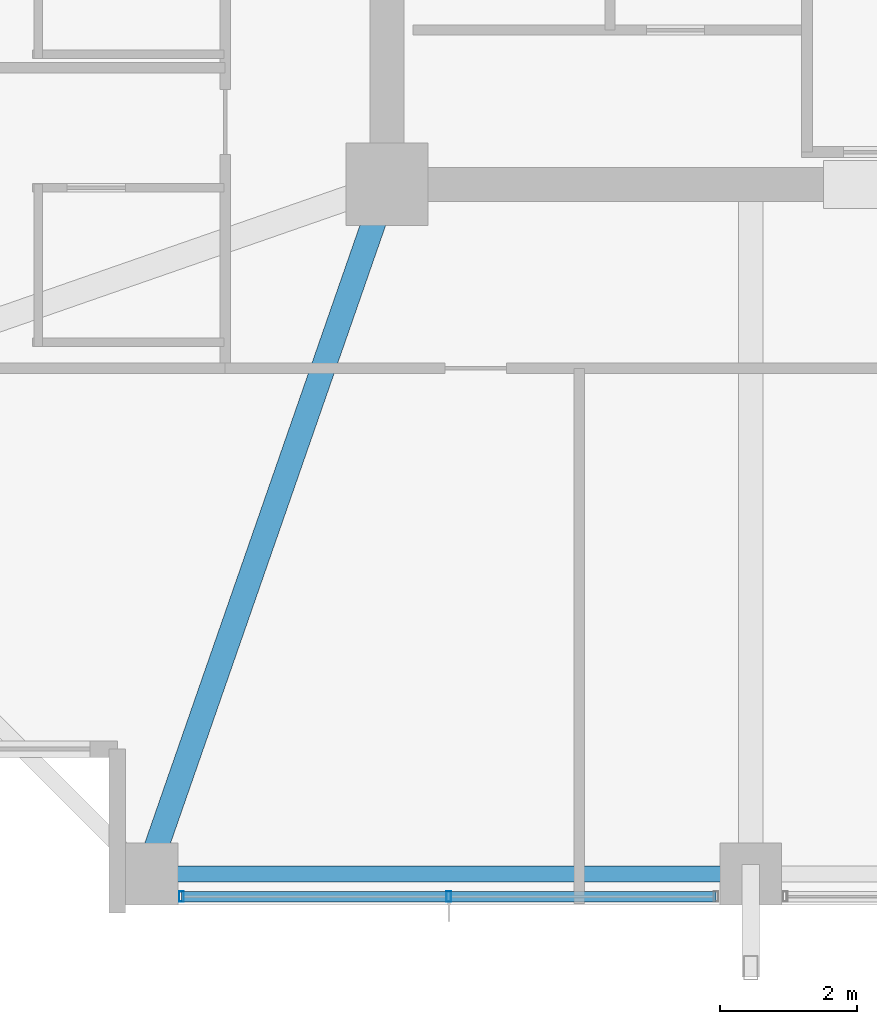
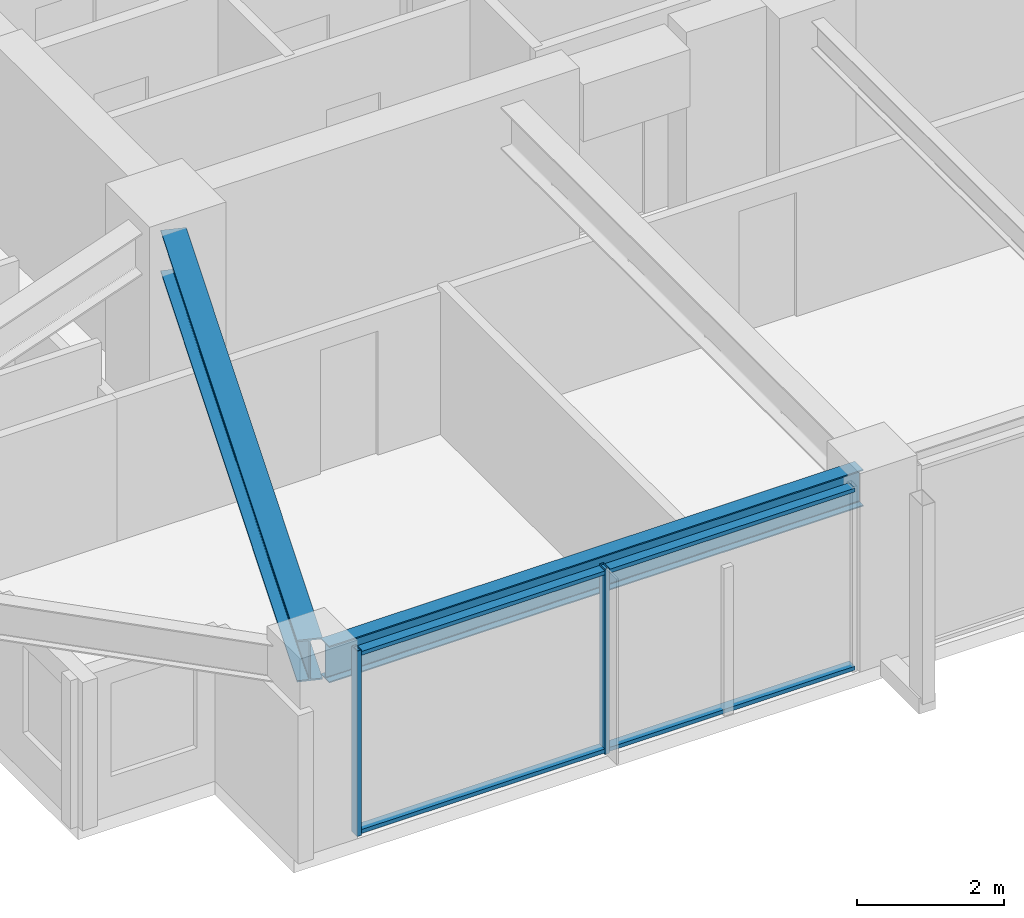
# One storey, part 2 of 35: 4 members, 2 beams, 1 element without a shape of its own.
"""IFC4 building model written with IfcOpenShell, lengths in metres."""

from ifc_helpers import new_model, si_unit, direction, frame, origin, origin_2d, place, context, subcontext, project, spatial, hollow_rectangle, i_section, extrude, material, material_profile, profile_set, type_object, element, aggregate, save


model = new_model("IFC4")

# Units and contexts
model_context = context("Model", 3, precision=1e-05, world=origin(), true_north=direction((0.0, 1.0)))
body_context = subcontext(model_context, "Body", "Model", "MODEL_VIEW")
ifc_project = project(units=[si_unit("LENGTHUNIT", "METRE"), si_unit("AREAUNIT", "SQUARE_METRE"), si_unit("VOLUMEUNIT", "CUBIC_METRE"), si_unit("PLANEANGLEUNIT", "RADIAN"), si_unit("MASSUNIT", "GRAM", prefix="KILO")], contexts=[model_context])

# Site, building, storey
site_placement = place(None, origin())
site = spatial("IfcSite", under=ifc_project, at=site_placement, CompositionType="ELEMENT")
building_placement = place(site_placement, origin())
building = spatial("IfcBuilding", under=site, at=building_placement, Name="Kolvaren Belvedere", CompositionType="ELEMENT")
storey_placement = place(building_placement, frame((0.0, 0.0, 183.300048828125)))
storey = spatial("IfcBuildingStorey", under=building, at=storey_placement, Name="L53", CompositionType="ELEMENT", Elevation=183.300048828125)

# Beams
ifc_material_1 = material(Name="Structural steel ASTM A992 Grade 50", Category="steel")
ifc_material_profile_1 = material_profile(ifc_material_1, i_section(OverallWidth=0.35498046875, OverallDepth=0.696044921875, WebThickness=0.015380859375, FlangeThickness=0.02490234375, FilletRadius=0.02197265625, at=origin_2d()), Name="W27X146")
ifc_profile_set_1 = profile_set([ifc_material_profile_1], Name="Structural steel ASTM A992 Grade 50")
beam_type_1 = type_object("IfcBeamType", Name="BM-GIRD-W27X146", PredefinedType="BEAM", material=ifc_profile_set_1)
beam_1_placement = place(storey_placement, frame((-10.080810546875, -10.41943359375, 2.73193359375), z_axis=(-0.328894130701, -0.944366798861, 0.0), x_axis=(0.944366798861, -0.328894130701, 0.0)))
element("IfcBeam", 1, at=beam_1_placement, inside=storey, type_object=beam_type_1, Name="L53 Corner Core-to-Perimeter Girder CC1-S1", PredefinedType="BEAM", context=body_context, shape_type="SweptSolid", body=[
    extrude(i_section(OverallWidth=0.35498046875, OverallDepth=0.696044921875, WebThickness=0.015380859375, FlangeThickness=0.02490234375, FilletRadius=0.02197265625, at=origin_2d()), origin(), (0.0, 0.0, 1.0), 9.912109375),
])
ifc_material_2 = material(Name="Structural steel ASTM A992 Grade 50", Category="steel")
ifc_material_profile_2 = material_profile(ifc_material_2, i_section(OverallWidth=0.22900390625, OverallDepth=0.612060546875, WebThickness=0.011962890625, FlangeThickness=0.01953125, FilletRadius=0.01806640625, at=origin_2d()), Name="W24X84")
ifc_profile_set_2 = profile_set([ifc_material_profile_2], Name="Structural steel ASTM A992 Grade 50")
beam_type_2 = type_object("IfcBeamType", Name="BM-SPAN-W24X84", PredefinedType="SPANDREL", material=ifc_profile_set_2)
beam_2_placement = place(storey_placement, frame((-13.197509765625, -19.949951171875, 2.77392578125), z_axis=(1.0, 0.0, 0.0), x_axis=(0.0, 1.0, 0.0)))
element("IfcBeam", 2, at=beam_2_placement, inside=storey, type_object=beam_type_2, Name="L53 Perimeter Spandrel S1-S2", PredefinedType="SPANDREL", context=body_context, shape_type="SweptSolid", body=[
    extrude(i_section(OverallWidth=0.22900390625, OverallDepth=0.612060546875, WebThickness=0.011962890625, FlangeThickness=0.01953125, FilletRadius=0.01806640625, at=origin_2d()), origin(), (0.0, 0.0, 1.0), 8.39501953125),
])

# Curtain wall, members
ifc_material_3 = material(Name="Anodised pale-metal aluminium AA 6063-T6", Category="aluminium")
curtain_wall_type = type_object("IfcCurtainWallType", Name="CW-Z5-HIGH", PredefinedType="NOTDEFINED", material=ifc_material_3)
curtain_wall_placement = place(storey_placement, origin())
curtain_wall = element("IfcCurtainWall", 3, at=curtain_wall_placement, inside=storey, type_object=curtain_wall_type, Name="L53 Unitised Curtain Wall FCW-L53-S-B3", PredefinedType="NOTDEFINED")
ifc_material_4 = material(Name="Anodised pale-metal aluminium AA 6063-T6", Category="aluminium")
ifc_material_profile_3 = material_profile(ifc_material_4, hollow_rectangle(XDim=0.070068359375, YDim=0.14990234375, WallThickness=0.004150390625, at=origin_2d()), Name="ALU-MUL-150X70")
ifc_profile_set_3 = profile_set([ifc_material_profile_3], Name="Anodised pale-metal aluminium AA 6063-T6")
member_type_1 = type_object("IfcMemberType", Name="CW-MUL-150", PredefinedType="MULLION", material=ifc_profile_set_3)
member_1_placement = place(storey_placement, frame((-9.0, -20.280029296875, 0.0), z_axis=(0.0, 0.0, 1.0), x_axis=(1.0, 0.0, 0.0)))
member_1 = element("IfcMember", 4, at=member_1_placement, type_object=member_type_1, Name="FCW-L53-S-B3 Unitised Mullion 2", PredefinedType="MULLION", context=body_context, shape_type="SweptSolid", body=[
    extrude(hollow_rectangle(XDim=0.070068359375, YDim=0.14990234375, WallThickness=0.004150390625, at=origin_2d()), origin(), (0.0, 0.0, 1.0), 3.079833984375),
])
member_2_placement = place(storey_placement, frame((-12.89501953125, -20.280029296875, 0.0), z_axis=(0.0, 0.0, 1.0), x_axis=(1.0, 0.0, 0.0)))
member_2 = element("IfcMember", 5, at=member_2_placement, type_object=member_type_1, Name="FCW-L53-S-B3 Unitised Mullion 3", PredefinedType="MULLION", context=body_context, shape_type="SweptSolid", body=[
    extrude(hollow_rectangle(XDim=0.070068359375, YDim=0.14990234375, WallThickness=0.004150390625, at=origin_2d()), origin(), (0.0, 0.0, 1.0), 3.079833984375),
])
ifc_material_5 = material(Name="Anodised pale-metal aluminium AA 6063-T6", Category="aluminium")
ifc_material_profile_4 = material_profile(ifc_material_5, hollow_rectangle(XDim=0.06494140625, YDim=0.14990234375, WallThickness=0.00390625, at=origin_2d()), Name="ALU-TRN-150X65")
ifc_profile_set_4 = profile_set([ifc_material_profile_4], Name="Anodised pale-metal aluminium AA 6063-T6")
member_type_2 = type_object("IfcMemberType", Name="CW-TRN-150", PredefinedType="USERDEFINED", material=ifc_profile_set_4)
member_3_placement = place(storey_placement, frame((-5.10498046875, -20.280029296875, 0.06005859375), z_axis=(-1.0, 0.0, 0.0), x_axis=(0.0, 0.0, 1.0)))
member_3 = element("IfcMember", 6, at=member_3_placement, type_object=member_type_2, Name="FCW-L53-S-B3 Sill Transom", ObjectType="TRANSOM", PredefinedType="USERDEFINED", context=body_context, shape_type="SweptSolid", body=[
    extrude(hollow_rectangle(XDim=0.06494140625, YDim=0.14990234375, WallThickness=0.00390625, at=origin_2d()), origin(), (0.0, 0.0, 1.0), 7.7900390625),
])
member_4_placement = place(storey_placement, frame((-5.10498046875, -20.280029296875, 3.02001953125), z_axis=(-1.0, 0.0, 0.0), x_axis=(0.0, 0.0, 1.0)))
member_4 = element("IfcMember", 7, at=member_4_placement, type_object=member_type_2, Name="FCW-L53-S-B3 Head Transom", ObjectType="TRANSOM", PredefinedType="USERDEFINED", context=body_context, shape_type="SweptSolid", body=[
    extrude(hollow_rectangle(XDim=0.06494140625, YDim=0.14990234375, WallThickness=0.00390625, at=origin_2d()), origin(), (0.0, 0.0, 1.0), 7.7900390625),
])
aggregate(curtain_wall, [member_1, member_2, member_3, member_4])

save(model, "model.ifc")
